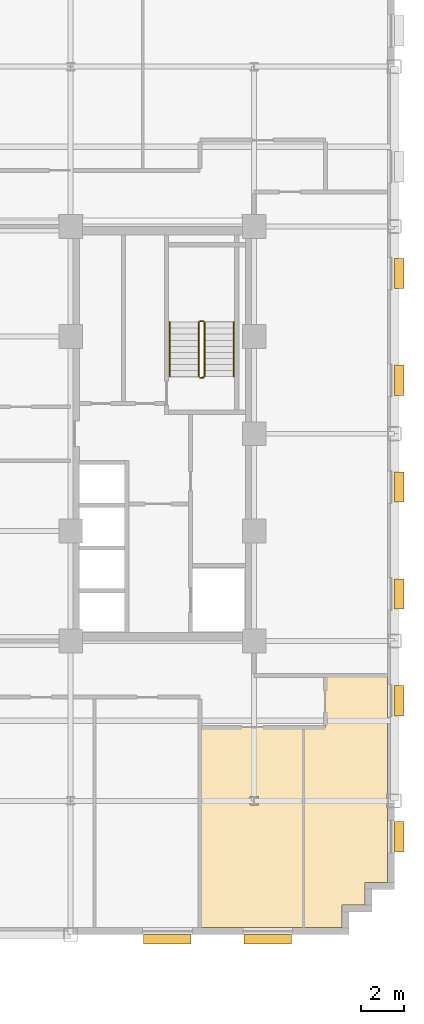
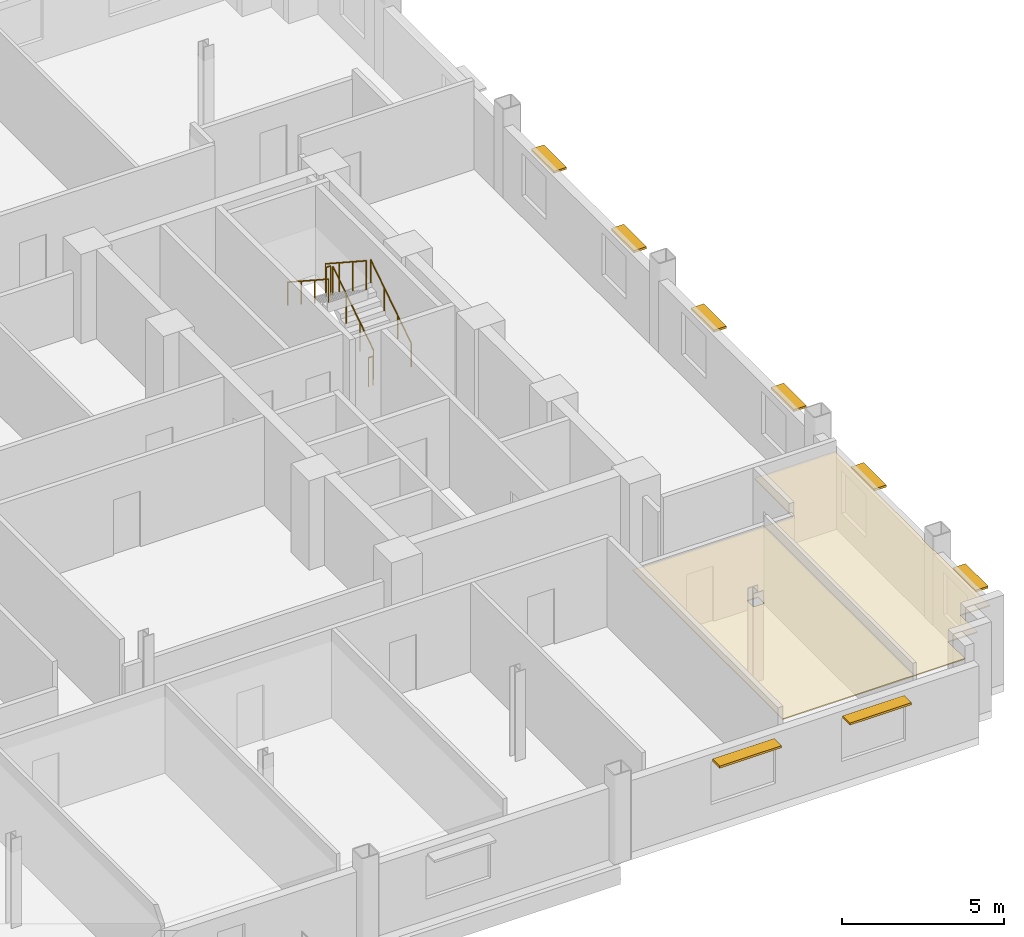
# One storey, part 13 of 14: 8 shading devices, 6 railings, 2 coverings.
"""IFC4 building model written with IfcOpenShell, lengths in metres."""

from ifc_helpers import new_model, si_unit, direction, frame, origin, origin_2d, place, context, subcontext, project, spatial, polyline, rectangle, circle, outline, extrude, source, transform, mapped, material, layer, layer_set, type_object, type_shapes, element, save


model = new_model("IFC4")

# Units and contexts
model_context = context("Model", 3, precision=1e-05, world=origin(), true_north=direction((0.0, 1.0)))
body_context = subcontext(model_context, "Body", "Model", "MODEL_VIEW")
ifc_project = project(units=[si_unit("LENGTHUNIT", "METRE"), si_unit("AREAUNIT", "SQUARE_METRE"), si_unit("VOLUMEUNIT", "CUBIC_METRE"), si_unit("PLANEANGLEUNIT", "RADIAN"), si_unit("MASSUNIT", "GRAM", prefix="KILO")], contexts=[model_context])

# Site, building, storey
site_placement = place(None, origin())
site = spatial("IfcSite", under=ifc_project, at=site_placement, CompositionType="ELEMENT")
building_placement = place(site_placement, origin())
building = spatial("IfcBuilding", under=site, at=building_placement, Name="Nuvemarco Arch Tower", CompositionType="ELEMENT")
storey_placement = place(building_placement, frame((0.0, 0.0, 98.300048828125)))
storey = spatial("IfcBuildingStorey", under=building, at=storey_placement, Name="L25", CompositionType="ELEMENT", Elevation=98.300048828125)

# Coverings
ifc_material_1 = material(Name="Mineral acoustic ceiling tile")
ifc_layer = layer(ifc_material_1, 0.0400390625, Name="COV-ACOUSTIC-CLG")
ifc_layer_set = layer_set([ifc_layer], Name="Mineral acoustic ceiling tile")
covering_type = type_object("IfcCoveringType", Name="COV-ACOUSTIC-CLG", PredefinedType="CEILING", material=ifc_layer_set)
covering_1_placement = place(storey_placement, frame((0.0, 0.0, 2.849853515625)))
element("IfcCovering", 1, at=covering_1_placement, inside=storey, type_object=covering_type, Name="L25 suspended acoustic ceiling 8", PredefinedType="CEILING", context=body_context, shape_type="SweptSolid", body=[
    extrude(outline(polyline([(15.070068359375, -22.8798828125), (15.070068359375, -13.60009765625), (19.780029296875, -13.60009765625), (19.780029296875, -22.8798828125), (15.070068359375, -22.8798828125)]), holes=[polyline([(17.695068359375, -17.195068359375), (17.695068359375, -16.804931640625), (17.304931640625, -16.804931640625), (17.304931640625, -17.195068359375), (17.695068359375, -17.195068359375)])]), origin(), (0.0, 0.0, 1.0), 0.0400390625),
])
covering_2_placement = place(storey_placement, frame((0.0, 0.0, 2.849853515625)))
element("IfcCovering", 2, at=covering_2_placement, inside=storey, type_object=covering_type, Name="L25 suspended acoustic ceiling 9", PredefinedType="CEILING", context=body_context, shape_type="SweptSolid", body=[
    extrude(outline(polyline([(21.580078125, -22.8798828125), (19.780029296875, -22.8798828125), (19.780029296875, -13.60009765625), (20.800048828125, -13.60009765625), (20.800048828125, -11.199951171875), (23.679931640625, -11.199951171875), (23.679931640625, -16.659912109375), (23.659912109375, -16.659912109375), (23.659912109375, -17.340087890625), (23.679931640625, -17.340087890625), (23.679931640625, -20.780029296875), (22.6298828125, -20.780029296875), (22.6298828125, -21.830078125), (21.580078125, -21.830078125), (21.580078125, -22.8798828125)])), origin(), (0.0, 0.0, 1.0), 0.0400390625),
])

# Railings
ifc_material_2 = material(Name="Brushed stainless steel handrail", Category="steel")
railing_type_1 = type_object("IfcRailingType", Name="RL-HANDRAIL-900", PredefinedType="HANDRAIL", material=ifc_material_2)
railing_1_placement = place(storey_placement, frame((16.550048828125, 2.64990234375, 0.182373046875)))
element("IfcRailing", 3, at=railing_1_placement, inside=storey, type_object=railing_type_1, Name="L25 ST-2 stair handrail 1", PredefinedType="HANDRAIL", context=body_context, shape_type="SweptSolid", body=[
    extrude(circle(Radius=0.02392578125, at=origin_2d()), frame((0.0, 0.0, 0.8759765625), z_axis=(0.0, 0.837749427056, 0.546054848405), x_axis=(-1.0, 0.0, 0.0)), (0.0, 0.0, 1.0), 3.008056640625),
    extrude(circle(Radius=0.02099609375, at=origin_2d()), origin(), (0.0, 0.0, 1.0), 0.851806640625),
    extrude(circle(Radius=0.02099609375, at=origin_2d()), frame((0.0, 0.840087890625, 0.547607421875)), (0.0, 0.0, 1.0), 0.851806640625),
    extrude(circle(Radius=0.02099609375, at=origin_2d()), frame((0.0, 1.679931640625, 1.094970703125)), (0.0, 0.0, 1.0), 0.851806640625),
    extrude(circle(Radius=0.02099609375, at=origin_2d()), frame((0.0, 2.52001953125, 1.642578125)), (0.0, 0.0, 1.0), 0.851806640625),
])
railing_2_placement = place(storey_placement, frame((13.590087890625, 5.169921875, 2.007568359375)))
element("IfcRailing", 4, at=railing_2_placement, inside=storey, type_object=railing_type_1, Name="L25 ST-2 stair handrail 2", PredefinedType="HANDRAIL", context=body_context, shape_type="SweptSolid", body=[
    extrude(circle(Radius=0.02392578125, at=origin_2d()), frame((0.0, 0.0, 0.8759765625), z_axis=(0.0, -0.837786554691, 0.545997883492), x_axis=(1.0, 0.0, 0.0)), (0.0, 0.0, 1.0), 3.008056640625),
    extrude(circle(Radius=0.02099609375, at=origin_2d()), origin(), (0.0, 0.0, 1.0), 0.851806640625),
    extrude(circle(Radius=0.02099609375, at=origin_2d()), frame((0.0, -0.840087890625, 0.54736328125)), (0.0, 0.0, 1.0), 0.851806640625),
    extrude(circle(Radius=0.02099609375, at=origin_2d()), frame((0.0, -1.679931640625, 1.094970703125)), (0.0, 0.0, 1.0), 0.851806640625),
    extrude(circle(Radius=0.02099609375, at=origin_2d()), frame((0.0, -2.52001953125, 1.642333984375)), (0.0, 0.0, 1.0), 0.851806640625),
])
ifc_material_3 = material(Name="Painted balustrade steel S355", Category="steel")
railing_type_2 = type_object("IfcRailingType", Name="RL-STAIR-GUARD", PredefinedType="GUARDRAIL", material=ifc_material_3)
railing_3_placement = place(storey_placement, frame((15.199951171875, 2.64990234375, 0.182373046875)))
element("IfcRailing", 5, at=railing_3_placement, inside=storey, type_object=railing_type_2, Name="L25 ST-2 stair guard 1", PredefinedType="GUARDRAIL", context=body_context, shape_type="SweptSolid", body=[
    extrude(circle(Radius=0.02392578125, at=origin_2d()), frame((0.0, 0.0, 1.09619140625), z_axis=(0.0, 0.837749427056, 0.546054848405), x_axis=(-1.0, 0.0, 0.0)), (0.0, 0.0, 1.0), 3.008056640625),
    extrude(circle(Radius=0.02099609375, at=origin_2d()), origin(), (0.0, 0.0, 1.0), 1.072021484375),
    extrude(circle(Radius=0.02099609375, at=origin_2d()), frame((0.0, 0.840087890625, 0.547607421875)), (0.0, 0.0, 1.0), 1.072021484375),
    extrude(circle(Radius=0.02099609375, at=origin_2d()), frame((0.0, 1.679931640625, 1.094970703125)), (0.0, 0.0, 1.0), 1.072021484375),
    extrude(circle(Radius=0.02099609375, at=origin_2d()), frame((0.0, 2.52001953125, 1.642578125)), (0.0, 0.0, 1.0), 1.072021484375),
])
railing_4_placement = place(storey_placement, frame((15.14990234375, 5.219970703125, 1.824951171875)))
element("IfcRailing", 6, at=railing_4_placement, inside=storey, type_object=railing_type_2, Name="L25 ST-2 stair guard 2", PredefinedType="GUARDRAIL", context=body_context, shape_type="SweptSolid", body=[
    extrude(circle(Radius=0.02392578125, at=origin_2d()), frame((0.0, 0.0, 1.09619140625), z_axis=(-1.0, 0.0, 0.0), x_axis=(0.0, -1.0, 0.0)), (0.0, 0.0, 1.0), 0.159912109375),
    extrude(circle(Radius=0.02099609375, at=origin_2d()), origin(), (0.0, 0.0, 1.0), 1.072021484375),
    extrude(circle(Radius=0.02099609375, at=origin_2d()), frame((-0.159912109375, 0.0, 0.0)), (0.0, 0.0, 1.0), 1.072021484375),
])
railing_5_placement = place(storey_placement, frame((14.93994140625, 5.169921875, 2.007568359375)))
element("IfcRailing", 7, at=railing_5_placement, inside=storey, type_object=railing_type_2, Name="L25 ST-2 stair guard 3", PredefinedType="GUARDRAIL", context=body_context, shape_type="SweptSolid", body=[
    extrude(circle(Radius=0.02392578125, at=origin_2d()), frame((0.0, 0.0, 1.09619140625), z_axis=(0.0, -0.837786554691, 0.545997883492), x_axis=(1.0, 0.0, 0.0)), (0.0, 0.0, 1.0), 3.008056640625),
    extrude(circle(Radius=0.02099609375, at=origin_2d()), origin(), (0.0, 0.0, 1.0), 1.072021484375),
    extrude(circle(Radius=0.02099609375, at=origin_2d()), frame((0.0, -0.840087890625, 0.54736328125)), (0.0, 0.0, 1.0), 1.072021484375),
    extrude(circle(Radius=0.02099609375, at=origin_2d()), frame((0.0, -1.679931640625, 1.094970703125)), (0.0, 0.0, 1.0), 1.072021484375),
    extrude(circle(Radius=0.02099609375, at=origin_2d()), frame((0.0, -2.52001953125, 1.642333984375)), (0.0, 0.0, 1.0), 1.072021484375),
])
railing_6_placement = place(storey_placement, frame((15.14990234375, 2.60009765625, 0.0)))
element("IfcRailing", 8, at=railing_6_placement, inside=storey, type_object=railing_type_2, Name="L25 ST-2 stair guard 4", PredefinedType="GUARDRAIL", context=body_context, shape_type="SweptSolid", body=[
    extrude(circle(Radius=0.02392578125, at=origin_2d()), frame((0.0, 0.0, 1.09619140625), z_axis=(-1.0, 0.0, 0.0), x_axis=(0.0, -1.0, 0.0)), (0.0, 0.0, 1.0), 0.159912109375),
    extrude(circle(Radius=0.02099609375, at=origin_2d()), origin(), (0.0, 0.0, 1.0), 1.072021484375),
    extrude(circle(Radius=0.02099609375, at=origin_2d()), frame((-0.159912109375, 0.0, 0.0)), (0.0, 0.0, 1.0), 1.072021484375),
])

# Shading devices
ifc_material_4 = material(Name="Anodised aluminium 6063-T6", Category="aluminium")
shading_device_type_1 = type_object("IfcShadingDeviceType", Name="SHD-BRISE-SOLEIL", PredefinedType="USERDEFINED", material=ifc_material_4)
shared_shape_1 = source(origin(), body_context, "Body", "SweptSolid", [
    extrude(rectangle(XDim=2.199951171875, YDim=0.449951171875, at=origin_2d()), origin(), (0.0, 0.0, 1.0), 0.080078125),
])
type_shapes(shading_device_type_1, [shared_shape_1])
for number, where, z_axis, x_axis, name in (
    (9, (13.4833984375, -23.4150390625, 2.4248046875), (0.0, 0.0, 1.0), (1.0, 0.0, 0.0), "L25 horizontal brise-soleil sunshade"),
    (10, (18.127685546875, -23.4150390625, 2.4248046875), (0.0, 0.0, 1.0), (1.0, 0.0, 0.0), "L25 horizontal brise-soleil sunshade"),
):
    element("IfcShadingDevice", number, at=place(storey_placement, frame(where, z_axis=z_axis, x_axis=x_axis)), inside=storey, type_object=shading_device_type_1, Name=name, ObjectType="SUNSHADE", PredefinedType="USERDEFINED", context=body_context, shape_type="MappedRepresentation", body=[
        mapped(shared_shape_1, transform((0.0, 0.0, 0.0), scale=1.0)),
    ])
shading_device_type_2 = type_object("IfcShadingDeviceType", Name="SHD-BRISE-NARROW", PredefinedType="USERDEFINED", material=ifc_material_4)
shared_shape_2 = source(origin(), body_context, "Body", "SweptSolid", [
    extrude(rectangle(XDim=1.39990234375, YDim=0.449951171875, at=origin_2d()), origin(), (0.0, 0.0, 1.0), 0.080078125),
])
type_shapes(shading_device_type_2, [shared_shape_2])
for number, where, z_axis, x_axis, name in (
    (11, (24.215087890625, -18.660888671875, 2.405029296875), (0.0, 0.0, 1.0), (0.0, 1.0, 0.0), "L25 horizontal brise-soleil sunshade"),
    (12, (24.215087890625, -12.364990234375, 2.405029296875), (0.0, 0.0, 1.0), (0.0, 1.0, 0.0), "L25 horizontal brise-soleil sunshade"),
    (13, (24.215087890625, -7.4189453125, 2.405029296875), (0.0, 0.0, 1.0), (0.0, 1.0, 0.0), "L25 horizontal brise-soleil sunshade"),
    (14, (24.215087890625, -2.472900390625, 2.405029296875), (0.0, 0.0, 1.0), (0.0, 1.0, 0.0), "L25 horizontal brise-soleil sunshade"),
    (15, (24.215087890625, 2.472900390625, 2.405029296875), (0.0, 0.0, 1.0), (0.0, 1.0, 0.0), "L25 horizontal brise-soleil sunshade"),
    (16, (24.215087890625, 7.4189453125, 2.405029296875), (0.0, 0.0, 1.0), (0.0, 1.0, 0.0), "L25 horizontal brise-soleil sunshade"),
):
    element("IfcShadingDevice", number, at=place(storey_placement, frame(where, z_axis=z_axis, x_axis=x_axis)), inside=storey, type_object=shading_device_type_2, Name=name, ObjectType="SUNSHADE", PredefinedType="USERDEFINED", context=body_context, shape_type="MappedRepresentation", body=[
        mapped(shared_shape_2, transform((0.0, 0.0, 0.0), scale=1.0)),
    ])

save(model, "model.ifc")
